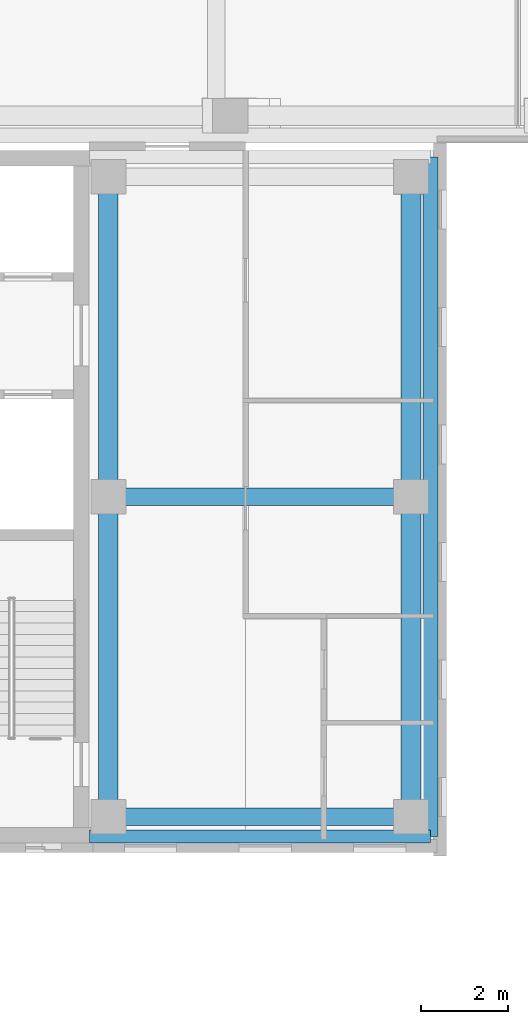
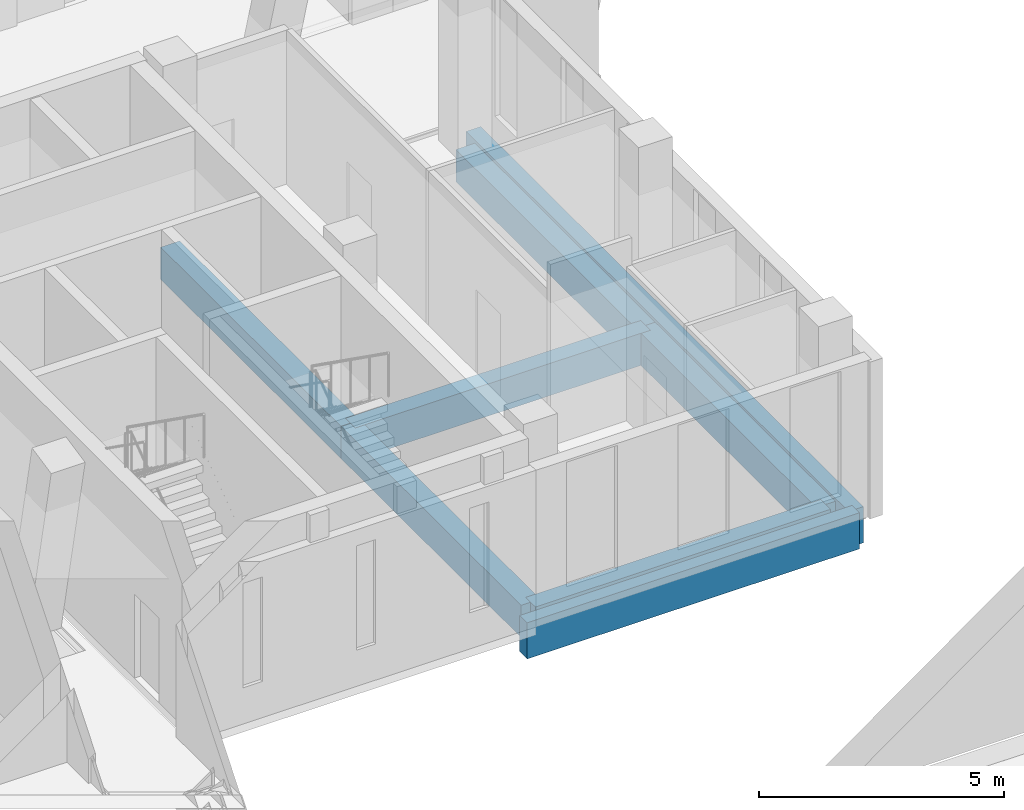
# One storey, part 21 of 89: 8 beams.
"""IFC4 building model written with IfcOpenShell, lengths in metres."""

import ifcopenshell
import ifcopenshell.guid

model = None  # the IFC model being written
_history = None  # IfcOwnerHistory: only IFC2X3 demands one
_inside = {}  # id of a spatial element -> (the spatial element, [elements in it])
_under = {}  # id of a project, library or spatial element -> (it, [spatial elements below it])
_declared = {}  # id of a project -> (the project, [libraries it declares])
_typed = {}  # id of a type object -> (the type object, [elements of that type])
_made_of = {}  # id of a material, layer set ... -> (it, [elements and type objects made of it])


def new_model(schema):
    """Start an empty IFC model of exactly this schema.

    Asked for "IFC4X3", IfcOpenShell would pick the latest addendum, in which some entities
    have other attributes; the version numbers below select the first issue.
    IFC2X3 requires an IfcOwnerHistory on every rooted entity: one is made here for all.
    """
    global model, _history
    if schema == "IFC4X3":
        model = ifcopenshell.file(schema_version=(4, 3, 0, 0))
    else:
        model = ifcopenshell.file(schema=schema)
    _inside.clear()
    _under.clear()
    _declared.clear()
    _typed.clear()
    _made_of.clear()
    _history = None
    if model.schema == "IFC2X3":
        org = make("IfcOrganization", Name="unknown")
        user = make(
            "IfcPersonAndOrganization",
            ThePerson=make("IfcPerson", FamilyName="unknown"),
            TheOrganization=org,
        )
        app = make(
            "IfcApplication",
            ApplicationDeveloper=org,
            Version="unknown",
            ApplicationFullName="unknown",
            ApplicationIdentifier="unknown",
        )
        _history = make(
            "IfcOwnerHistory",
            OwningUser=user,
            OwningApplication=app,
            ChangeAction="ADDED",
            CreationDate=0,
        )
    return model


def make(cls, **values):
    """One entity of the class cls with the attributes given. An attribute that is None is left unset."""
    return model.create_entity(
        cls, **{name: value for name, value in values.items() if value is not None}
    )


def rooted(cls, **values):
    """An entity with a GlobalId (a new one), such as an element, a storey or a relation."""
    return make(cls, GlobalId=ifcopenshell.guid.new(), OwnerHistory=_history, **values)


def si_unit(unit_type, name, prefix=None):
    """IfcSIUnit, for example si_unit("LENGTHUNIT", "METRE", prefix="MILLI")."""
    return make("IfcSIUnit", UnitType=unit_type, Prefix=prefix, Name=name)


def assignment(units):
    """IfcUnitAssignment: the units of a project."""
    return None if units is None else make("IfcUnitAssignment", Units=units)


def point(xyz):
    """IfcCartesianPoint."""
    return None if xyz is None else make("IfcCartesianPoint", Coordinates=xyz)


def direction(xyz):
    """IfcDirection."""
    return None if xyz is None else make("IfcDirection", DirectionRatios=xyz)


def frame(location, z_axis=None, x_axis=None):
    """IfcAxis2Placement3D, a coordinate frame: its origin and axes. An axis left out is left unset."""
    return make(
        "IfcAxis2Placement3D",
        Location=point(location),
        Axis=direction(z_axis),
        RefDirection=direction(x_axis),
    )


def frame_2d(location, x_axis=None):
    """IfcAxis2Placement2D, a coordinate frame in the plane: its origin and x axis."""
    return make(
        "IfcAxis2Placement2D", Location=point(location), RefDirection=direction(x_axis)
    )


def origin():
    """The frame at (0, 0, 0) with its axes left unset."""
    return frame((0.0, 0.0, 0.0))


def origin_2d():
    """The frame at (0, 0) in the plane with its x axis left unset."""
    return frame_2d((0.0, 0.0))


def place(relative_to, where):
    """IfcLocalPlacement: puts the frame where relative to a parent placement (None: the world)."""
    return make(
        "IfcLocalPlacement", PlacementRelTo=relative_to, RelativePlacement=where
    )


def context(
    kind, dimensions, precision=None, world=None, true_north=None, identifier=None
):
    """IfcGeometricRepresentationContext, for example the 3D "Model" context."""
    return make(
        "IfcGeometricRepresentationContext",
        ContextIdentifier=identifier,
        ContextType=kind,
        CoordinateSpaceDimension=dimensions,
        Precision=precision,
        WorldCoordinateSystem=world,
        TrueNorth=true_north,
    )


def subcontext(parent, identifier, kind, view, scale=None):
    """IfcGeometricRepresentationSubContext, for example "Body" below "Model"."""
    return make(
        "IfcGeometricRepresentationSubContext",
        ContextIdentifier=identifier,
        ContextType=kind,
        ParentContext=parent,
        TargetScale=scale,
        TargetView=view,
    )


def project(units=None, contexts=None):
    """IfcProject with its units and contexts."""
    return rooted(
        "IfcProject",
        Name="project",
        RepresentationContexts=contexts,
        UnitsInContext=assignment(units),
    )


def spatial(cls, under=None, at=None, **own):
    """A site, building, storey or space (cls), placed at a placement, below another one or the project."""
    s = rooted(cls, ObjectPlacement=at, **own)
    if under is not None:
        _under.setdefault(under.id(), (under, []))[1].append(s)
    return s


def profile(cls, at=None, kind="AREA", **sizes):
    """A parametric profile (cls). Its sizes go by their IFC names, for example OverallWidth=200.0."""
    return make(cls, ProfileType=kind, Position=at, **sizes)


def rectangle(**sizes):
    """IfcRectangleProfileDef."""
    return profile("IfcRectangleProfileDef", **sizes)


def extrude(swept, where, along, depth):
    """IfcExtrudedAreaSolid: the profile swept, set in the frame where, extruded along a direction by depth."""
    return make(
        "IfcExtrudedAreaSolid",
        SweptArea=swept,
        Position=where,
        ExtrudedDirection=direction(along),
        Depth=depth,
    )


def shape(context_of_items, identifier, shape_type, items):
    """IfcShapeRepresentation: the items that make up one representation, for example the "Body"."""
    return make(
        "IfcShapeRepresentation",
        ContextOfItems=context_of_items,
        RepresentationIdentifier=identifier,
        RepresentationType=shape_type,
        Items=items,
    )


def material(Name=None, Category=None):
    """IfcMaterial."""
    return make("IfcMaterial", Name=Name, Category=Category)


def material_profile(
    of_material, cross_section, Name=None, Category=None, Priority=None
):
    """IfcMaterialProfile: a cross section and its material."""
    return make(
        "IfcMaterialProfile",
        Name=Name,
        Material=of_material,
        Profile=cross_section,
        Priority=Priority,
        Category=Category,
    )


def profile_set(profiles, Name=None, composite=None):
    """IfcMaterialProfileSet."""
    return make(
        "IfcMaterialProfileSet",
        Name=Name,
        MaterialProfiles=profiles,
        CompositeProfile=composite,
    )


def made_of(thing, what):
    """Note that an element or type object is made of a material, layer set ...; save() writes the relation."""
    if what is not None:
        _made_of.setdefault(what.id(), (what, []))[1].append(thing)
    return thing


def type_object(cls, material=None, **own):
    """A type object (cls), such as IfcWallType, which elements share."""
    return made_of(rooted(cls, **own), material)


def element(
    cls,
    number,
    at=None,
    inside=None,
    cuts=None,
    type_object=None,
    material=None,
    context=None,
    identifier="Body",
    shape_type=None,
    held_by="IfcProductDefinitionShape",
    body=None,
    shapes=None,
    **own,
):
    """One element of the class cls, such as IfcWall. Its Tag is "e" and its number.

    at: its placement. inside: the storey or other place that contains it. cuts: it is an
    opening in that element (IfcRelVoidsElement). A single representation is given by context,
    identifier, shape_type and body (its items); several are given by shapes. held_by: the class
    of the entity that holds the representations. save() writes the other relations.
    """
    e = rooted(cls, Tag="e%d" % number, ObjectPlacement=at, **own)
    if body is not None:
        shapes = [shape(context, identifier, shape_type, body)]
    if shapes is not None:
        e.Representation = make(held_by, Representations=shapes)
    if inside is not None:
        _inside.setdefault(inside.id(), (inside, []))[1].append(e)
    if cuts is not None:
        rooted(
            "IfcRelVoidsElement", RelatingBuildingElement=cuts, RelatedOpeningElement=e
        )
    if type_object is not None:
        _typed.setdefault(type_object.id(), (type_object, []))[1].append(e)
    return made_of(e, material)


def aggregate(whole, parts):
    """IfcRelAggregates: a whole, such as a stair, and the parts it consists of."""
    return rooted("IfcRelAggregates", RelatingObject=whole, RelatedObjects=parts)


def save(model, path):
    """Write the relations noted so far, then the file.

    IfcRelAggregates (storeys below a building ...), IfcRelContainedInSpatialStructure (elements
    in a storey), IfcRelDefinesByType, IfcRelAssociatesMaterial and IfcRelDeclares: one each for
    every whole, place, type object, material and project.
    """
    for whole, parts in _under.values():
        aggregate(whole, parts)
    for where, things in _inside.values():
        rooted(
            "IfcRelContainedInSpatialStructure",
            RelatedElements=things,
            RelatingStructure=where,
        )
    for kind, things in _typed.values():
        rooted("IfcRelDefinesByType", RelatedObjects=things, RelatingType=kind)
    for what, things in _made_of.values():
        rooted("IfcRelAssociatesMaterial", RelatedObjects=things, RelatingMaterial=what)
    for by, libraries in _declared.values():
        rooted("IfcRelDeclares", RelatingContext=by, RelatedDefinitions=libraries)
    model.write(path)


model = new_model("IFC4")

# Units and contexts
model_context = context("Model", 3, precision=1e-05, world=origin(), true_north=direction((0.0, 1.0)))
body_context = subcontext(model_context, "Body", "Model", "MODEL_VIEW")
ifc_project = project(units=[si_unit("LENGTHUNIT", "METRE"), si_unit("AREAUNIT", "SQUARE_METRE"), si_unit("VOLUMEUNIT", "CUBIC_METRE"), si_unit("PLANEANGLEUNIT", "RADIAN"), si_unit("MASSUNIT", "GRAM", prefix="KILO")], contexts=[model_context])

# Site, building, storey
site_placement = place(None, origin())
site = spatial("IfcSite", under=ifc_project, at=site_placement, CompositionType="ELEMENT")
building_placement = place(site_placement, origin())
building = spatial("IfcBuilding", under=site, at=building_placement, Name="Lantern Court Media Centre", CompositionType="ELEMENT")
storey_placement = place(building_placement, frame((0.0, 0.0, 14.39990234375)))
storey = spatial("IfcBuildingStorey", under=building, at=storey_placement, Name="L03", CompositionType="ELEMENT", Elevation=14.39990234375)

# Beams
ifc_material = material(Name="Concrete C35", Category="concrete")
ifc_material_profile_1 = material_profile(ifc_material, rectangle(XDim=0.300048828125, YDim=0.89990234375, at=origin_2d()), Name="RC 300x900")
ifc_profile_set_1 = profile_set([ifc_material_profile_1], Name="Concrete C35")
beam_type_1 = type_object("IfcBeamType", Name="RC BEAM 300x900", PredefinedType="BEAM", material=ifc_profile_set_1)
beam_1_placement = place(storey_placement, frame((88.02001953125, 48.14990234375, -0.449951171875), z_axis=(1.0, 0.0, 0.0), x_axis=(0.0, 1.0, 0.0)))
element("IfcBeam", 1, at=beam_1_placement, inside=storey, type_object=beam_type_1, Name="EB-SE-L03-S", PredefinedType="BEAM", context=body_context, shape_type="SweptSolid", body=[
    extrude(rectangle(XDim=0.300048828125, YDim=0.89990234375, at=origin_2d()), origin(), (0.0, 0.0, 1.0), 7.830078125),
])
ifc_material_profile_2 = material_profile(ifc_material, rectangle(XDim=0.35009765625, YDim=0.89990234375, at=origin_2d()), Name="RC 350x900")
ifc_profile_set_2 = profile_set([ifc_material_profile_2], Name="Concrete C35")
beam_type_2 = type_object("IfcBeamType", Name="RC BEAM 350x900", PredefinedType="BEAM", material=ifc_profile_set_2)
beam_2_placement = place(storey_placement, frame((95.85009765625, 48.14990234375, -0.449951171875), z_axis=(0.0, 1.0, 0.0), x_axis=(-1.0, 0.0, 0.0)))
element("IfcBeam", 2, at=beam_2_placement, inside=storey, type_object=beam_type_2, Name="EB-SE-L03-E", PredefinedType="BEAM", context=body_context, shape_type="SweptSolid", body=[
    extrude(rectangle(XDim=0.35009765625, YDim=0.89990234375, at=origin_2d()), origin(), (0.0, 0.0, 1.0), 15.60009765625),
])
ifc_material_profile_3 = material_profile(ifc_material, rectangle(XDim=0.39990234375, YDim=0.800048828125, at=origin_2d()), Name="RC 400x800")
ifc_profile_set_3 = profile_set([ifc_material_profile_3], Name="Concrete C35")
beam_type_3 = type_object("IfcBeamType", Name="RC BEAM 400x800", PredefinedType="BEAM", material=ifc_profile_set_3)
for number, where, z_axis, x_axis, name in (
    (3, (88.449951171875, 48.60009765625, -0.39990234375), (1.0, 0.0, 0.0), (0.0, 1.0, 0.0), "BB-SE-L03-Y0-48"),
    (4, (88.449951171875, 55.949951171875, -0.39990234375), (1.0, 0.0, 0.0), (0.0, 1.0, 0.0), "BB-SE-L03-Y0-55"),
):
    element("IfcBeam", number, at=place(storey_placement, frame(where, z_axis=z_axis, x_axis=x_axis)), inside=storey, type_object=beam_type_3, Name=name, PredefinedType="BEAM", context=body_context, shape_type="SweptSolid", body=[
        extrude(rectangle(XDim=0.39990234375, YDim=0.800048828125, at=origin_2d()), origin(), (0.0, 0.0, 1.0), 6.949951171875),
    ])
ifc_material_profile_4 = material_profile(ifc_material, rectangle(XDim=0.449951171875, YDim=0.800048828125, at=origin_2d()), Name="RC 450x800")
ifc_profile_set_4 = profile_set([ifc_material_profile_4], Name="Concrete C35")
beam_type_4 = type_object("IfcBeamType", Name="RC BEAM 450x800", PredefinedType="BEAM", material=ifc_profile_set_4)
beam_3_placement = place(storey_placement, frame((88.449951171875, 48.60009765625, -0.39990234375), z_axis=(0.0, 1.0, 0.0), x_axis=(-1.0, 0.0, 0.0)))
element("IfcBeam", 5, at=beam_3_placement, inside=storey, type_object=beam_type_4, Name="BB-SE-L03-X0-88", PredefinedType="BEAM", context=body_context, shape_type="SweptSolid", body=[
    extrude(rectangle(XDim=0.449951171875, YDim=0.800048828125, at=origin_2d()), origin(), (0.0, 0.0, 1.0), 7.349853515625),
])
beam_4_placement = place(storey_placement, frame((88.449951171875, 55.949951171875, -0.39990234375), z_axis=(0.0, 1.0, 0.0), x_axis=(-1.0, 0.0, 0.0)))
element("IfcBeam", 6, at=beam_4_placement, inside=storey, type_object=beam_type_4, Name="BB-SE-L03-X1-88", PredefinedType="BEAM", context=body_context, shape_type="SweptSolid", body=[
    extrude(rectangle(XDim=0.449951171875, YDim=0.800048828125, at=origin_2d()), origin(), (0.0, 0.0, 1.0), 7.35009765625),
])
beam_5_placement = place(storey_placement, frame((95.39990234375, 48.60009765625, -0.39990234375), z_axis=(0.0, 1.0, 0.0), x_axis=(-1.0, 0.0, 0.0)))
element("IfcBeam", 7, at=beam_5_placement, inside=storey, type_object=beam_type_4, Name="BB-SE-L03-X0-95", PredefinedType="BEAM", context=body_context, shape_type="SweptSolid", body=[
    extrude(rectangle(XDim=0.449951171875, YDim=0.800048828125, at=origin_2d()), origin(), (0.0, 0.0, 1.0), 7.349853515625),
])
beam_6_placement = place(storey_placement, frame((95.39990234375, 55.949951171875, -0.39990234375), z_axis=(0.0, 1.0, 0.0), x_axis=(-1.0, 0.0, 0.0)))
element("IfcBeam", 8, at=beam_6_placement, inside=storey, type_object=beam_type_4, Name="BB-SE-L03-X1-95", PredefinedType="BEAM", context=body_context, shape_type="SweptSolid", body=[
    extrude(rectangle(XDim=0.449951171875, YDim=0.800048828125, at=origin_2d()), origin(), (0.0, 0.0, 1.0), 7.35009765625),
])

save(model, "model.ifc")
